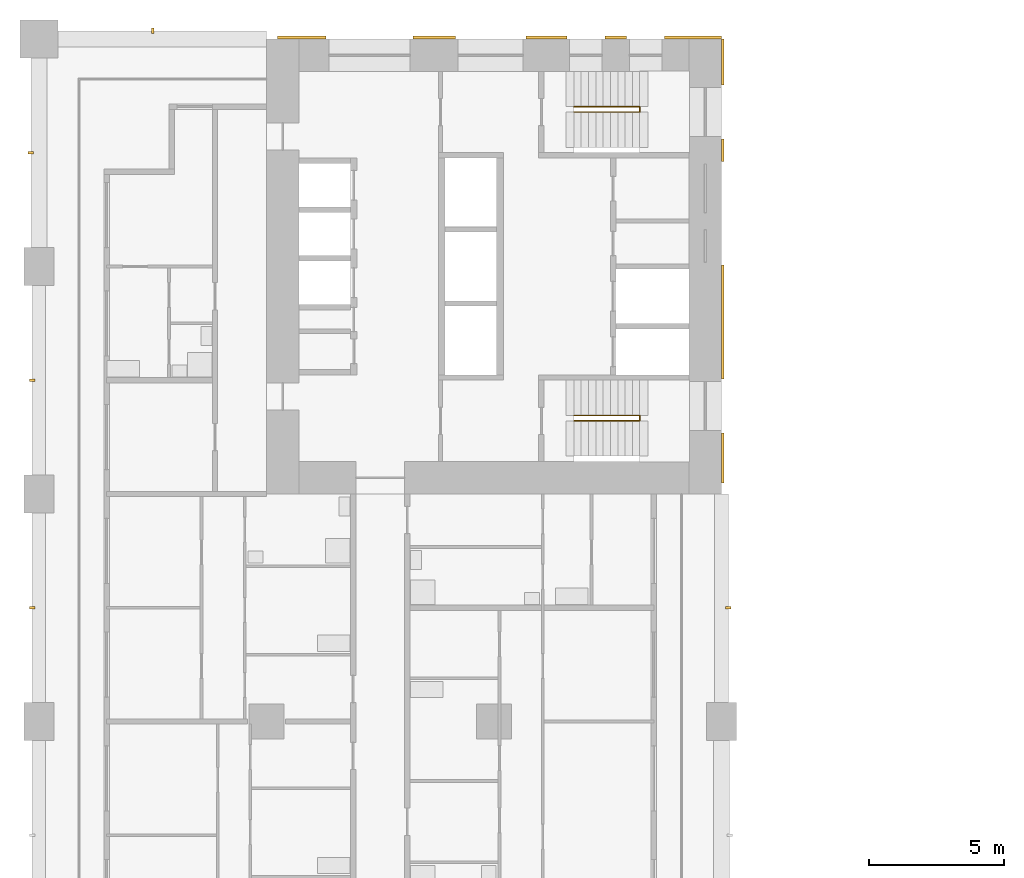
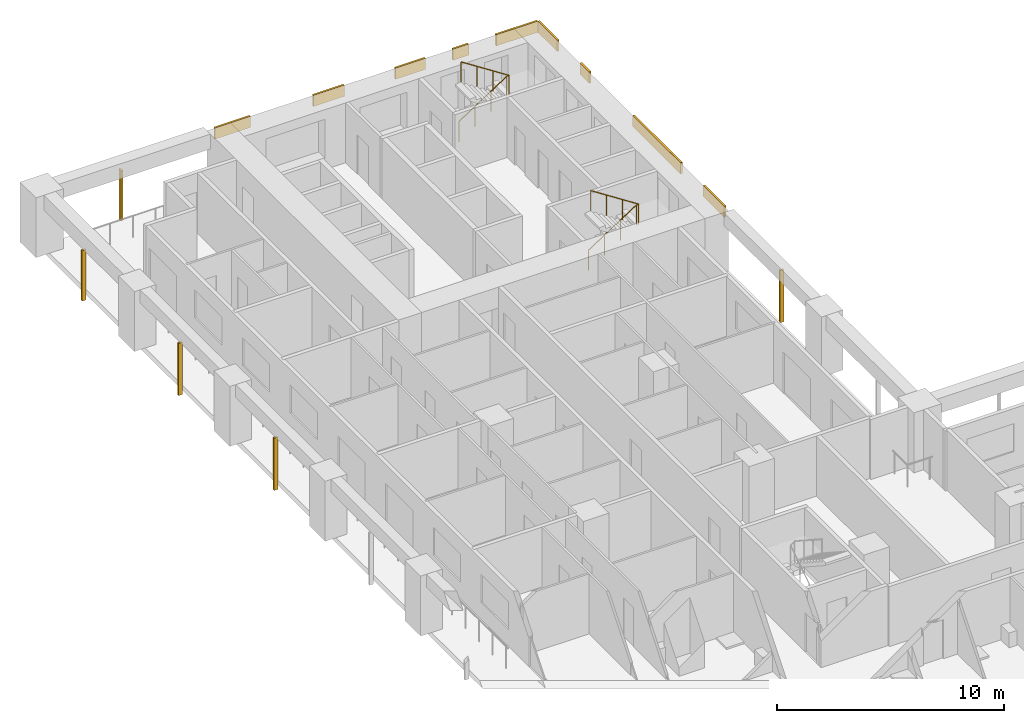
# One storey, part 16 of 19: 14 shading devices, 2 railings.
"""IFC4 building model written with IfcOpenShell, lengths in metres."""

from ifc_helpers import new_model, si_unit, direction, frame, origin, origin_2d, place, context, subcontext, project, spatial, rectangle, circle, extrude, material, layer, layer_set, material_profile, profile_set, type_object, element, save


model = new_model("IFC4")

# Units and contexts
model_context = context("Model", 3, precision=1e-05, world=origin(), true_north=direction((0.0, 1.0)))
body_context = subcontext(model_context, "Body", "Model", "MODEL_VIEW")
ifc_project = project(units=[si_unit("LENGTHUNIT", "METRE"), si_unit("AREAUNIT", "SQUARE_METRE"), si_unit("VOLUMEUNIT", "CUBIC_METRE"), si_unit("PLANEANGLEUNIT", "RADIAN"), si_unit("MASSUNIT", "GRAM", prefix="KILO")], contexts=[model_context])

# Site, building, storey
site_placement = place(None, origin())
site = spatial("IfcSite", under=ifc_project, at=site_placement, CompositionType="ELEMENT")
building_placement = place(site_placement, origin())
building = spatial("IfcBuilding", under=site, at=building_placement, Name="Vermilion Gate Residences", CompositionType="ELEMENT")
storey_placement = place(building_placement, frame((0.0, 0.0, 49.699951171875)))
storey = spatial("IfcBuildingStorey", under=building, at=storey_placement, Name="L11", CompositionType="ELEMENT", Elevation=49.699951171875)

# Railings
ifc_material_1 = material(Name="Steel S355", Category="steel")
railing_type = type_object("IfcRailingType", Name="STAIR GUARD 1100 STEEL", PredefinedType="GUARDRAIL", material=ifc_material_1)
for number, where, name in (
    (1, (19.75, 56.300048828125, 0.175048828125), "Stair well guard STB1-11"),
    (2, (19.75, 44.89990234375, 0.175048828125), "Stair well guard STB2-11"),
):
    element("IfcRailing", number, at=place(storey_placement, frame(where)), inside=storey, type_object=railing_type, Name=name, PredefinedType="GUARDRAIL", context=body_context, shape_type="SweptSolid", body=[
        extrude(circle(Radius=0.02392578125, at=origin_2d()), frame((0.0, 0.0, 1.076171875), z_axis=(0.839153699163, 0.0, 0.543894354798), x_axis=(0.0, 1.0, 0.0)), (0.0, 0.0, 1.0), 2.895751953125),
        extrude(circle(Radius=0.02392578125, at=origin_2d()), frame((2.429931640625, 0.0, 2.65087890625), z_axis=(0.0, -0.752405939678, 0.658699705433), x_axis=(1.0, 0.0, 0.0)), (0.0, 0.0, 1.0), 0.265869140625),
        extrude(circle(Radius=0.02392578125, at=origin_2d()), frame((2.429931640625, -0.199951171875, 2.826171875), z_axis=(-0.839153699163, 0.0, 0.543894354798), x_axis=(0.0, -1.0, 0.0)), (0.0, 0.0, 1.0), 2.895751953125),
        extrude(circle(Radius=0.02099609375, at=origin_2d()), origin(), (0.0, 0.0, 1.0), 1.052001953125),
        extrude(circle(Radius=0.02099609375, at=origin_2d()), frame((0.81005859375, 0.0, 0.52490234375)), (0.0, 0.0, 1.0), 1.052001953125),
        extrude(circle(Radius=0.02099609375, at=origin_2d()), frame((1.619873046875, 0.0, 1.050048828125)), (0.0, 0.0, 1.0), 1.052001953125),
        extrude(circle(Radius=0.02099609375, at=origin_2d()), frame((2.429931640625, 0.0, 1.574951171875)), (0.0, 0.0, 1.0), 1.052001953125),
        extrude(circle(Radius=0.02099609375, at=origin_2d()), frame((2.429931640625, -0.199951171875, 1.75)), (0.0, 0.0, 1.0), 1.052001953125),
        extrude(circle(Radius=0.02099609375, at=origin_2d()), frame((1.619873046875, -0.199951171875, 2.27490234375)), (0.0, 0.0, 1.0), 1.052001953125),
        extrude(circle(Radius=0.02099609375, at=origin_2d()), frame((0.81005859375, -0.199951171875, 2.800048828125)), (0.0, 0.0, 1.0), 1.052001953125),
        extrude(circle(Radius=0.02099609375, at=origin_2d()), frame((0.0, -0.199951171875, 3.324951171875)), (0.0, 0.0, 1.0), 1.052001953125),
    ])

# Shading devices
ifc_material_2 = material(Name="Extruded terracotta", Category="masonry")
ifc_material_profile = material_profile(ifc_material_2, rectangle(XDim=0.199951171875, YDim=0.10009765625, at=origin_2d()), Name="BAGUETTE 100 X 200")
ifc_profile_set = profile_set([ifc_material_profile], Name="Extruded terracotta")
shading_device_type_1 = type_object("IfcShadingDeviceType", Name="TERRACOTTA BAGUETTE 100 X 200", PredefinedType="JALOUSIE", material=ifc_profile_set)
shading_device_1_placement = place(storey_placement, frame((25.449951171875, 37.800048828125, -0.280029296875), z_axis=(0.0, 0.0, 1.0), x_axis=(-1.0, 0.0, 0.0)))
element("IfcShadingDevice", 3, at=shading_device_1_placement, inside=storey, type_object=shading_device_type_1, Name="BAGUETTE", PredefinedType="JALOUSIE", context=body_context, shape_type="SweptSolid", body=[
    extrude(rectangle(XDim=0.199951171875, YDim=0.10009765625, at=origin_2d()), origin(), (0.0, 0.0, 1.0), 2.800048828125),
])
shading_device_2_placement = place(storey_placement, frame((4.199951171875, 59.10009765625, -0.280029296875), z_axis=(0.0, 0.0, 1.0), x_axis=(0.0, -1.0, 0.0)))
element("IfcShadingDevice", 4, at=shading_device_2_placement, inside=storey, type_object=shading_device_type_1, Name="BAGUETTE", PredefinedType="JALOUSIE", context=body_context, shape_type="SweptSolid", body=[
    extrude(rectangle(XDim=0.199951171875, YDim=0.10009765625, at=origin_2d()), origin(), (0.0, 0.0, 1.0), 2.7001953125),
])
for number, where, z_axis, x_axis, name in (
    (5, (-0.25, 37.800048828125, -0.280029296875), (0.0, 0.0, 1.0), (1.0, 0.0, 0.0), "BAGUETTE"),
    (6, (-0.25, 46.199951171875, -0.280029296875), (0.0, 0.0, 1.0), (1.0, 0.0, 0.0), "BAGUETTE"),
):
    element("IfcShadingDevice", number, at=place(storey_placement, frame(where, z_axis=z_axis, x_axis=x_axis)), inside=storey, type_object=shading_device_type_1, Name=name, PredefinedType="JALOUSIE", context=body_context, shape_type="SweptSolid", body=[
        extrude(rectangle(XDim=0.199951171875, YDim=0.10009765625, at=origin_2d()), origin(), (0.0, 0.0, 1.0), 2.800048828125),
    ])
shading_device_3_placement = place(storey_placement, frame((-0.300048828125, 54.60009765625, -0.280029296875), z_axis=(0.0, 0.0, 1.0), x_axis=(1.0, 0.0, 0.0)))
element("IfcShadingDevice", 7, at=shading_device_3_placement, inside=storey, type_object=shading_device_type_1, Name="BAGUETTE", PredefinedType="JALOUSIE", context=body_context, shape_type="SweptSolid", body=[
    extrude(rectangle(XDim=0.199951171875, YDim=0.10009765625, at=origin_2d()), origin(), (0.0, 0.0, 1.0), 2.7001953125),
])
ifc_material_3 = material(Name="Extruded terracotta", Category="masonry")
ifc_layer = layer(ifc_material_3, 0.10009765625)
ifc_layer_set = layer_set([ifc_layer], Name="TERRACOTTA SPANDREL BAND 600 X 100")
shading_device_type_2 = type_object("IfcShadingDeviceType", Name="TERRACOTTA SPANDREL BAND 600 X 100", PredefinedType="USERDEFINED", material=ifc_layer_set)
shading_device_4_placement = place(storey_placement, frame((9.702392578125, 58.85009765625, 2.6201171875), z_axis=(0.0, 0.0, 1.0), x_axis=(1.0, 0.0, 0.0)))
element("IfcShadingDevice", 8, at=shading_device_4_placement, inside=storey, type_object=shading_device_type_2, Name="SPANDREL BAND", ObjectType="BAND", PredefinedType="USERDEFINED", context=body_context, shape_type="SweptSolid", body=[
    extrude(rectangle(XDim=1.804931640625, YDim=0.10009765625, at=origin_2d()), origin(), (0.0, 0.0, 1.0), 0.60009765625),
])
shading_device_5_placement = place(storey_placement, frame((14.590087890625, 58.85009765625, 2.6201171875), z_axis=(0.0, 0.0, 1.0), x_axis=(1.0, 0.0, 0.0)))
element("IfcShadingDevice", 9, at=shading_device_5_placement, inside=storey, type_object=shading_device_type_2, Name="SPANDREL BAND", ObjectType="BAND", PredefinedType="USERDEFINED", context=body_context, shape_type="SweptSolid", body=[
    extrude(rectangle(XDim=1.570068359375, YDim=0.10009765625, at=origin_2d()), origin(), (0.0, 0.0, 1.0), 0.60009765625),
])
shading_device_6_placement = place(storey_placement, frame((18.734130859375, 58.85009765625, 2.6201171875), z_axis=(0.0, 0.0, 1.0), x_axis=(1.0, 0.0, 0.0)))
element("IfcShadingDevice", 10, at=shading_device_6_placement, inside=storey, type_object=shading_device_type_2, Name="SPANDREL BAND", ObjectType="BAND", PredefinedType="USERDEFINED", context=body_context, shape_type="SweptSolid", body=[
    extrude(rectangle(XDim=1.518310546875, YDim=0.10009765625, at=origin_2d()), origin(), (0.0, 0.0, 1.0), 0.60009765625),
])
shading_device_7_placement = place(storey_placement, frame((21.294921875, 58.85009765625, 2.6201171875), z_axis=(0.0, 0.0, 1.0), x_axis=(1.0, 0.0, 0.0)))
element("IfcShadingDevice", 11, at=shading_device_7_placement, inside=storey, type_object=shading_device_type_2, Name="SPANDREL BAND", ObjectType="BAND", PredefinedType="USERDEFINED", context=body_context, shape_type="SweptSolid", body=[
    extrude(rectangle(XDim=0.803466796875, YDim=0.10009765625, at=origin_2d()), origin(), (0.0, 0.0, 1.0), 0.60009765625),
])
shading_device_8_placement = place(storey_placement, frame((24.1484375, 58.85009765625, 2.6201171875), z_axis=(0.0, 0.0, 1.0), x_axis=(1.0, 0.0, 0.0)))
element("IfcShadingDevice", 12, at=shading_device_8_placement, inside=storey, type_object=shading_device_type_2, Name="SPANDREL BAND", ObjectType="BAND", PredefinedType="USERDEFINED", context=body_context, shape_type="SweptSolid", body=[
    extrude(rectangle(XDim=2.103271484375, YDim=0.10009765625, at=origin_2d()), origin(), (0.0, 0.0, 1.0), 0.60009765625),
])
shading_device_9_placement = place(storey_placement, frame((25.25, 43.324951171875, 2.6201171875), z_axis=(0.0, 0.0, 1.0), x_axis=(0.0, 1.0, 0.0)))
element("IfcShadingDevice", 13, at=shading_device_9_placement, inside=storey, type_object=shading_device_type_2, Name="SPANDREL BAND", ObjectType="BAND", PredefinedType="USERDEFINED", context=body_context, shape_type="SweptSolid", body=[
    extrude(rectangle(XDim=1.85009765625, YDim=0.10009765625, at=origin_2d()), origin(), (0.0, 0.0, 1.0), 0.60009765625),
])
shading_device_10_placement = place(storey_placement, frame((25.25, 48.35009765625, 2.6201171875), z_axis=(0.0, 0.0, 1.0), x_axis=(0.0, 1.0, 0.0)))
element("IfcShadingDevice", 14, at=shading_device_10_placement, inside=storey, type_object=shading_device_type_2, Name="SPANDREL BAND", ObjectType="BAND", PredefinedType="USERDEFINED", context=body_context, shape_type="SweptSolid", body=[
    extrude(rectangle(XDim=4.199951171875, YDim=0.10009765625, at=origin_2d()), origin(), (0.0, 0.0, 1.0), 0.60009765625),
])
shading_device_11_placement = place(storey_placement, frame((25.25, 54.6875, 2.6201171875), z_axis=(0.0, 0.0, 1.0), x_axis=(0.0, 1.0, 0.0)))
element("IfcShadingDevice", 15, at=shading_device_11_placement, inside=storey, type_object=shading_device_type_2, Name="SPANDREL BAND", ObjectType="BAND", PredefinedType="USERDEFINED", context=body_context, shape_type="SweptSolid", body=[
    extrude(rectangle(XDim=0.824951171875, YDim=0.10009765625, at=origin_2d()), origin(), (0.0, 0.0, 1.0), 0.60009765625),
])
shading_device_12_placement = place(storey_placement, frame((25.25, 57.949951171875, 2.6201171875), z_axis=(0.0, 0.0, 1.0), x_axis=(0.0, 1.0, 0.0)))
element("IfcShadingDevice", 16, at=shading_device_12_placement, inside=storey, type_object=shading_device_type_2, Name="SPANDREL BAND", ObjectType="BAND", PredefinedType="USERDEFINED", context=body_context, shape_type="SweptSolid", body=[
    extrude(rectangle(XDim=1.699951171875, YDim=0.10009765625, at=origin_2d()), origin(), (0.0, 0.0, 1.0), 0.60009765625),
])

save(model, "model.ifc")
